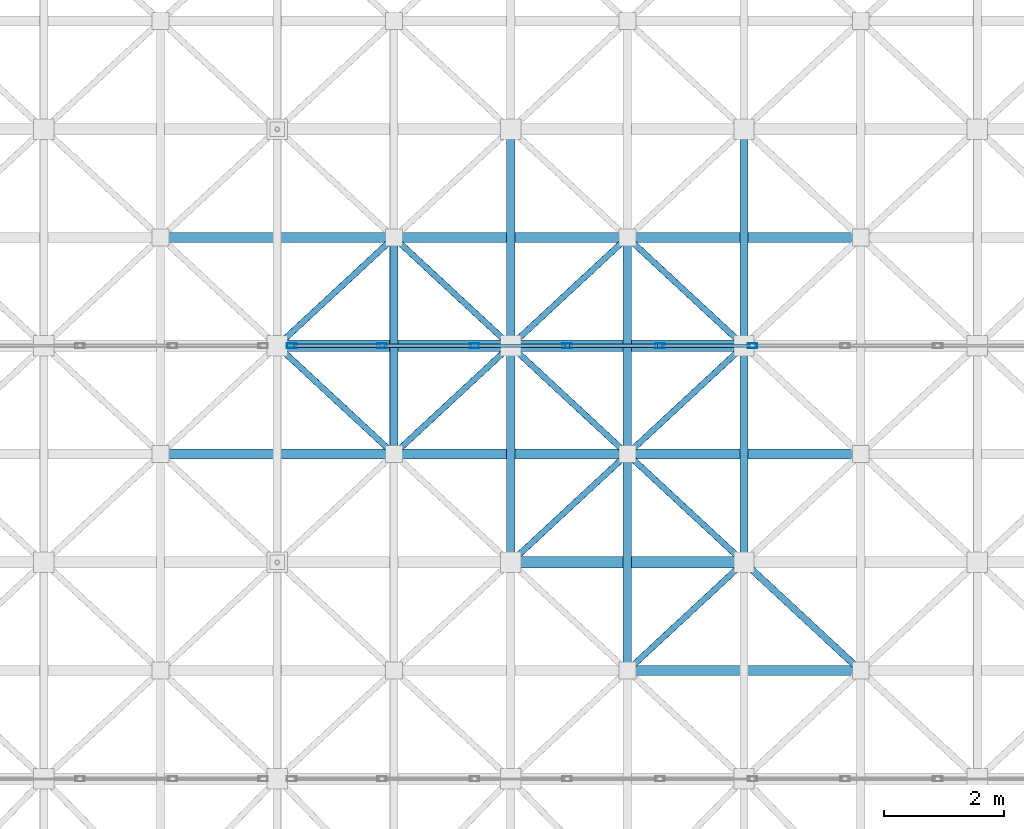
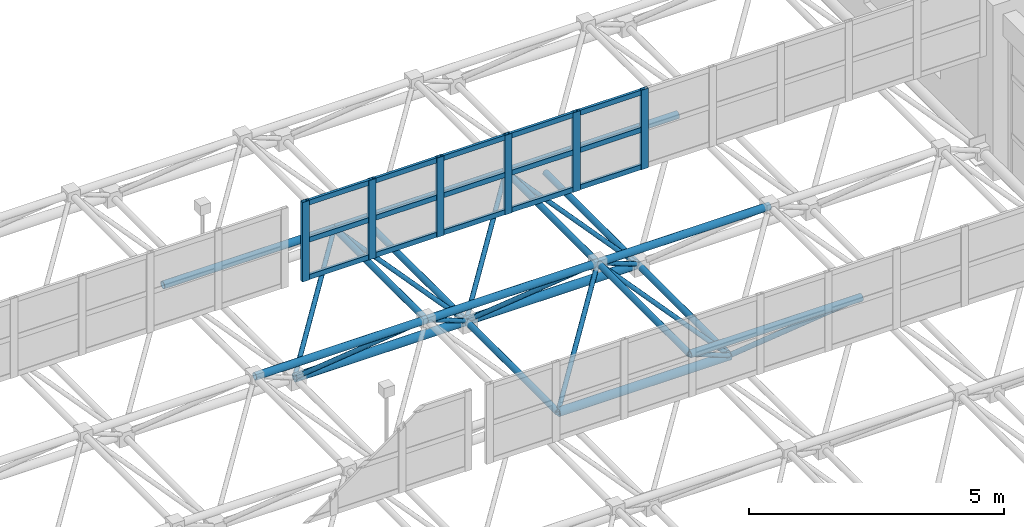
# One storey, part 96 of 195: 50 members, 1 element without a shape of its own.
"""IFC4 building model written with IfcOpenShell, lengths in metres."""

from ifc_helpers import new_model, si_unit, direction, frame, origin, origin_2d, place, context, subcontext, project, spatial, hollow_rectangle, hollow_circle, extrude, material, material_profile, profile_set, type_object, element, aggregate, save


model = new_model("IFC4")

# Units and contexts
model_context = context("Model", 3, precision=1e-05, world=origin(), true_north=direction((0.0, 1.0)))
body_context = subcontext(model_context, "Body", "Model", "MODEL_VIEW")
ifc_project = project(units=[si_unit("LENGTHUNIT", "METRE"), si_unit("AREAUNIT", "SQUARE_METRE"), si_unit("VOLUMEUNIT", "CUBIC_METRE"), si_unit("PLANEANGLEUNIT", "RADIAN"), si_unit("MASSUNIT", "GRAM", prefix="KILO")], contexts=[model_context])

# Site, building, storey
site_placement = place(None, origin())
site = spatial("IfcSite", under=ifc_project, at=site_placement, CompositionType="ELEMENT")
building_placement = place(site_placement, origin())
building = spatial("IfcBuilding", under=site, at=building_placement, Name="Kharva Crest Polytechnic", CompositionType="ELEMENT")
storey_placement = place(building_placement, frame((0.0, 0.0, 9.0)))
storey = spatial("IfcBuildingStorey", under=building, at=storey_placement, Name="L02", CompositionType="ELEMENT", Elevation=9.0)

# Curtain wall, members
ifc_material_1 = material(Name="Tempered insulated glass", Category="glass")
curtain_wall_type = type_object("IfcCurtainWallType", Name="CW-SYS-NORTHLIGHT", PredefinedType="USERDEFINED", material=ifc_material_1)
curtain_wall_placement = place(storey_placement, origin())
curtain_wall = element("IfcCurtainWall", 1, at=curtain_wall_placement, inside=storey, type_object=curtain_wall_type, Name="L02 Glazed Curtain Wall CW-200", ObjectType="CURTAIN WALL", PredefinedType="USERDEFINED")
ifc_material_2 = material(Name="Steel S355", Category="steel")
ifc_material_profile_1 = material_profile(ifc_material_2, hollow_rectangle(XDim=0.080078125, YDim=0.159912109375, WallThickness=0.0048828125, at=origin_2d()), Name="RHS 160X80X5.0")
ifc_profile_set_1 = profile_set([ifc_material_profile_1], Name="Steel S355")
member_type_1 = type_object("IfcMemberType", Name="CWM-RHS160X80", PredefinedType="MULLION", material=ifc_profile_set_1)
member_1_placement = place(storey_placement, frame((16.239990234375, 86.0, 2.85009765625), z_axis=(0.0, 0.0, 1.0), x_axis=(0.0, 1.0, 0.0)))
member_1 = element("IfcMember", 2, at=member_1_placement, type_object=member_type_1, Name="CW-200 mullion 1", PredefinedType="MULLION", context=body_context, shape_type="SweptSolid", body=[
    extrude(hollow_rectangle(XDim=0.080078125, YDim=0.159912109375, WallThickness=0.0048828125, at=origin_2d()), origin(), (0.0, 0.0, 1.0), 1.89990234375),
])
member_2_placement = place(storey_placement, frame((17.739990234375, 86.0, 2.85009765625), z_axis=(0.0, 0.0, 1.0), x_axis=(0.0, 1.0, 0.0)))
member_2 = element("IfcMember", 3, at=member_2_placement, type_object=member_type_1, Name="CW-200 mullion 2", PredefinedType="MULLION", context=body_context, shape_type="SweptSolid", body=[
    extrude(hollow_rectangle(XDim=0.080078125, YDim=0.159912109375, WallThickness=0.0048828125, at=origin_2d()), origin(), (0.0, 0.0, 1.0), 1.89990234375),
])
member_3_placement = place(storey_placement, frame((19.280029296875, 86.0, 2.85009765625), z_axis=(0.0, 0.0, 1.0), x_axis=(0.0, 1.0, 0.0)))
member_3 = element("IfcMember", 4, at=member_3_placement, type_object=member_type_1, Name="CW-200 mullion 3", PredefinedType="MULLION", context=body_context, shape_type="SweptSolid", body=[
    extrude(hollow_rectangle(XDim=0.080078125, YDim=0.159912109375, WallThickness=0.0048828125, at=origin_2d()), origin(), (0.0, 0.0, 1.0), 1.89990234375),
])
member_4_placement = place(storey_placement, frame((20.820068359375, 86.0, 2.85009765625), z_axis=(0.0, 0.0, 1.0), x_axis=(0.0, 1.0, 0.0)))
member_4 = element("IfcMember", 5, at=member_4_placement, type_object=member_type_1, Name="CW-200 mullion 4", PredefinedType="MULLION", context=body_context, shape_type="SweptSolid", body=[
    extrude(hollow_rectangle(XDim=0.080078125, YDim=0.159912109375, WallThickness=0.0048828125, at=origin_2d()), origin(), (0.0, 0.0, 1.0), 1.89990234375),
])
member_5_placement = place(storey_placement, frame((22.360107421875, 86.0, 2.85009765625), z_axis=(0.0, 0.0, 1.0), x_axis=(0.0, 1.0, 0.0)))
member_5 = element("IfcMember", 6, at=member_5_placement, type_object=member_type_1, Name="CW-200 mullion 5", PredefinedType="MULLION", context=body_context, shape_type="SweptSolid", body=[
    extrude(hollow_rectangle(XDim=0.080078125, YDim=0.159912109375, WallThickness=0.0048828125, at=origin_2d()), origin(), (0.0, 0.0, 1.0), 1.89990234375),
])
member_6_placement = place(storey_placement, frame((23.89990234375, 86.0, 2.85009765625), z_axis=(0.0, 0.0, 1.0), x_axis=(0.0, 1.0, 0.0)))
member_6 = element("IfcMember", 7, at=member_6_placement, type_object=member_type_1, Name="CW-200 mullion 6", PredefinedType="MULLION", context=body_context, shape_type="SweptSolid", body=[
    extrude(hollow_rectangle(XDim=0.080078125, YDim=0.159912109375, WallThickness=0.0048828125, at=origin_2d()), origin(), (0.0, 0.0, 1.0), 1.89990234375),
])
ifc_material_profile_2 = material_profile(ifc_material_2, hollow_rectangle(XDim=0.06005859375, YDim=0.1201171875, WallThickness=0.00390625, at=origin_2d()), Name="RHS 120X60X4.0")
ifc_profile_set_2 = profile_set([ifc_material_profile_2], Name="Steel S355")
member_type_2 = type_object("IfcMemberType", Name="CWT-RHS120X60", PredefinedType="USERDEFINED", material=ifc_profile_set_2)
member_7_placement = place(storey_placement, frame((16.280029296875, 86.0, 2.909912109375), z_axis=(1.0, 0.0, 0.0), x_axis=(0.0, 1.0, 0.0)))
member_7 = element("IfcMember", 8, at=member_7_placement, type_object=member_type_2, Name="CW-200 transom 1.1", ObjectType="TRANSOM", PredefinedType="USERDEFINED", context=body_context, shape_type="SweptSolid", body=[
    extrude(hollow_rectangle(XDim=0.06005859375, YDim=0.1201171875, WallThickness=0.00390625, at=origin_2d()), origin(), (0.0, 0.0, 1.0), 1.419921875),
])
member_8_placement = place(storey_placement, frame((16.280029296875, 86.0, 3.800048828125), z_axis=(1.0, 0.0, 0.0), x_axis=(0.0, 1.0, 0.0)))
member_8 = element("IfcMember", 9, at=member_8_placement, type_object=member_type_2, Name="CW-200 transom 1.2", ObjectType="TRANSOM", PredefinedType="USERDEFINED", context=body_context, shape_type="SweptSolid", body=[
    extrude(hollow_rectangle(XDim=0.06005859375, YDim=0.1201171875, WallThickness=0.00390625, at=origin_2d()), origin(), (0.0, 0.0, 1.0), 1.419921875),
])
member_9_placement = place(storey_placement, frame((16.280029296875, 86.0, 4.68994140625), z_axis=(1.0, 0.0, 0.0), x_axis=(0.0, 1.0, 0.0)))
member_9 = element("IfcMember", 10, at=member_9_placement, type_object=member_type_2, Name="CW-200 transom 1.3", ObjectType="TRANSOM", PredefinedType="USERDEFINED", context=body_context, shape_type="SweptSolid", body=[
    extrude(hollow_rectangle(XDim=0.06005859375, YDim=0.1201171875, WallThickness=0.00390625, at=origin_2d()), origin(), (0.0, 0.0, 1.0), 1.419921875),
])
member_10_placement = place(storey_placement, frame((17.780029296875, 86.0, 2.909912109375), z_axis=(1.0, 0.0, 0.0), x_axis=(0.0, 1.0, 0.0)))
member_10 = element("IfcMember", 11, at=member_10_placement, type_object=member_type_2, Name="CW-200 transom 2.1", ObjectType="TRANSOM", PredefinedType="USERDEFINED", context=body_context, shape_type="SweptSolid", body=[
    extrude(hollow_rectangle(XDim=0.06005859375, YDim=0.1201171875, WallThickness=0.00390625, at=origin_2d()), origin(), (0.0, 0.0, 1.0), 1.4599609375),
])
member_11_placement = place(storey_placement, frame((17.780029296875, 86.0, 3.800048828125), z_axis=(1.0, 0.0, 0.0), x_axis=(0.0, 1.0, 0.0)))
member_11 = element("IfcMember", 12, at=member_11_placement, type_object=member_type_2, Name="CW-200 transom 2.2", ObjectType="TRANSOM", PredefinedType="USERDEFINED", context=body_context, shape_type="SweptSolid", body=[
    extrude(hollow_rectangle(XDim=0.06005859375, YDim=0.1201171875, WallThickness=0.00390625, at=origin_2d()), origin(), (0.0, 0.0, 1.0), 1.4599609375),
])
member_12_placement = place(storey_placement, frame((17.780029296875, 86.0, 4.68994140625), z_axis=(1.0, 0.0, 0.0), x_axis=(0.0, 1.0, 0.0)))
member_12 = element("IfcMember", 13, at=member_12_placement, type_object=member_type_2, Name="CW-200 transom 2.3", ObjectType="TRANSOM", PredefinedType="USERDEFINED", context=body_context, shape_type="SweptSolid", body=[
    extrude(hollow_rectangle(XDim=0.06005859375, YDim=0.1201171875, WallThickness=0.00390625, at=origin_2d()), origin(), (0.0, 0.0, 1.0), 1.4599609375),
])
member_13_placement = place(storey_placement, frame((19.320068359375, 86.0, 2.909912109375), z_axis=(1.0, 0.0, 0.0), x_axis=(0.0, 1.0, 0.0)))
member_13 = element("IfcMember", 14, at=member_13_placement, type_object=member_type_2, Name="CW-200 transom 3.1", ObjectType="TRANSOM", PredefinedType="USERDEFINED", context=body_context, shape_type="SweptSolid", body=[
    extrude(hollow_rectangle(XDim=0.06005859375, YDim=0.1201171875, WallThickness=0.00390625, at=origin_2d()), origin(), (0.0, 0.0, 1.0), 1.4599609375),
])
member_14_placement = place(storey_placement, frame((19.320068359375, 86.0, 3.800048828125), z_axis=(1.0, 0.0, 0.0), x_axis=(0.0, 1.0, 0.0)))
member_14 = element("IfcMember", 15, at=member_14_placement, type_object=member_type_2, Name="CW-200 transom 3.2", ObjectType="TRANSOM", PredefinedType="USERDEFINED", context=body_context, shape_type="SweptSolid", body=[
    extrude(hollow_rectangle(XDim=0.06005859375, YDim=0.1201171875, WallThickness=0.00390625, at=origin_2d()), origin(), (0.0, 0.0, 1.0), 1.4599609375),
])
member_15_placement = place(storey_placement, frame((19.320068359375, 86.0, 4.68994140625), z_axis=(1.0, 0.0, 0.0), x_axis=(0.0, 1.0, 0.0)))
member_15 = element("IfcMember", 16, at=member_15_placement, type_object=member_type_2, Name="CW-200 transom 3.3", ObjectType="TRANSOM", PredefinedType="USERDEFINED", context=body_context, shape_type="SweptSolid", body=[
    extrude(hollow_rectangle(XDim=0.06005859375, YDim=0.1201171875, WallThickness=0.00390625, at=origin_2d()), origin(), (0.0, 0.0, 1.0), 1.4599609375),
])
member_16_placement = place(storey_placement, frame((20.860107421875, 86.0, 2.909912109375), z_axis=(1.0, 0.0, 0.0), x_axis=(0.0, 1.0, 0.0)))
member_16 = element("IfcMember", 17, at=member_16_placement, type_object=member_type_2, Name="CW-200 transom 4.1", ObjectType="TRANSOM", PredefinedType="USERDEFINED", context=body_context, shape_type="SweptSolid", body=[
    extrude(hollow_rectangle(XDim=0.06005859375, YDim=0.1201171875, WallThickness=0.00390625, at=origin_2d()), origin(), (0.0, 0.0, 1.0), 1.4599609375),
])
member_17_placement = place(storey_placement, frame((20.860107421875, 86.0, 3.800048828125), z_axis=(1.0, 0.0, 0.0), x_axis=(0.0, 1.0, 0.0)))
member_17 = element("IfcMember", 18, at=member_17_placement, type_object=member_type_2, Name="CW-200 transom 4.2", ObjectType="TRANSOM", PredefinedType="USERDEFINED", context=body_context, shape_type="SweptSolid", body=[
    extrude(hollow_rectangle(XDim=0.06005859375, YDim=0.1201171875, WallThickness=0.00390625, at=origin_2d()), origin(), (0.0, 0.0, 1.0), 1.4599609375),
])
member_18_placement = place(storey_placement, frame((20.860107421875, 86.0, 4.68994140625), z_axis=(1.0, 0.0, 0.0), x_axis=(0.0, 1.0, 0.0)))
member_18 = element("IfcMember", 19, at=member_18_placement, type_object=member_type_2, Name="CW-200 transom 4.3", ObjectType="TRANSOM", PredefinedType="USERDEFINED", context=body_context, shape_type="SweptSolid", body=[
    extrude(hollow_rectangle(XDim=0.06005859375, YDim=0.1201171875, WallThickness=0.00390625, at=origin_2d()), origin(), (0.0, 0.0, 1.0), 1.4599609375),
])
member_19_placement = place(storey_placement, frame((22.39990234375, 86.0, 2.909912109375), z_axis=(1.0, 0.0, 0.0), x_axis=(0.0, 1.0, 0.0)))
member_19 = element("IfcMember", 20, at=member_19_placement, type_object=member_type_2, Name="CW-200 transom 5.1", ObjectType="TRANSOM", PredefinedType="USERDEFINED", context=body_context, shape_type="SweptSolid", body=[
    extrude(hollow_rectangle(XDim=0.06005859375, YDim=0.1201171875, WallThickness=0.00390625, at=origin_2d()), origin(), (0.0, 0.0, 1.0), 1.460205078125),
])
member_20_placement = place(storey_placement, frame((22.39990234375, 86.0, 3.800048828125), z_axis=(1.0, 0.0, 0.0), x_axis=(0.0, 1.0, 0.0)))
member_20 = element("IfcMember", 21, at=member_20_placement, type_object=member_type_2, Name="CW-200 transom 5.2", ObjectType="TRANSOM", PredefinedType="USERDEFINED", context=body_context, shape_type="SweptSolid", body=[
    extrude(hollow_rectangle(XDim=0.06005859375, YDim=0.1201171875, WallThickness=0.00390625, at=origin_2d()), origin(), (0.0, 0.0, 1.0), 1.460205078125),
])
member_21_placement = place(storey_placement, frame((22.39990234375, 86.0, 4.68994140625), z_axis=(1.0, 0.0, 0.0), x_axis=(0.0, 1.0, 0.0)))
member_21 = element("IfcMember", 22, at=member_21_placement, type_object=member_type_2, Name="CW-200 transom 5.3", ObjectType="TRANSOM", PredefinedType="USERDEFINED", context=body_context, shape_type="SweptSolid", body=[
    extrude(hollow_rectangle(XDim=0.06005859375, YDim=0.1201171875, WallThickness=0.00390625, at=origin_2d()), origin(), (0.0, 0.0, 1.0), 1.460205078125),
])
aggregate(curtain_wall, [member_1, member_2, member_3, member_4, member_5, member_6, member_7, member_8, member_9, member_10, member_11, member_12, member_13, member_14, member_15, member_16, member_17, member_18, member_19, member_20, member_21])

# Members
ifc_material_profile_3 = material_profile(ifc_material_2, hollow_circle(Radius=0.05078125, WallThickness=0.0048828125, at=origin_2d()), Name="CHS 101.6X5.0")
ifc_profile_set_3 = profile_set([ifc_material_profile_3], Name="Steel S355")
member_type_3 = type_object("IfcMemberType", Name="MEM-CHS101", PredefinedType="BRACE", material=ifc_profile_set_3)
for number, where, z_axis, x_axis, name in (
    (23, (16.0, 86.0, 0.60009765625), (0.606147481159, -0.562437122903, 0.562360839555), (0.680182129432, 0.73304315753, 0.0), "Space Frame Web Diagonal 719"),
    (24, (19.8798828125, 86.0, 0.60009765625), (-0.606147481159, -0.562437122903, 0.562360839555), (0.680182129432, -0.73304315753, 0.0), "Space Frame Web Diagonal 720"),
    (25, (16.0, 86.0, 0.60009765625), (0.606147481159, 0.562437122903, 0.562360839555), (-0.680182129432, 0.73304315753, 0.0), "Space Frame Web Diagonal 721"),
    (26, (19.8798828125, 86.0, 0.60009765625), (-0.606147481159, 0.562437122903, 0.562360839555), (-0.680182129432, -0.73304315753, 0.0), "Space Frame Web Diagonal 722"),
):
    element("IfcMember", number, at=place(storey_placement, frame(where, z_axis=z_axis, x_axis=x_axis)), inside=storey, type_object=member_type_3, Name=name, PredefinedType="BRACE", context=body_context, shape_type="SweptSolid", body=[
        extrude(hollow_circle(Radius=0.05078125, WallThickness=0.0048828125, at=origin_2d()), origin(), (0.0, 0.0, 1.0), 3.200439453125),
    ])
member_22_placement = place(storey_placement, frame((23.760009765625, 82.39990234375, 0.60009765625), z_axis=(-0.606173487576, -0.562384967331, 0.562384967331), x_axis=(0.680132552351, -0.7330891564, 0.0)))
element("IfcMember", 27, at=member_22_placement, inside=storey, type_object=member_type_3, Name="Space Frame Web Diagonal 772", PredefinedType="BRACE", context=body_context, shape_type="SweptSolid", body=[
    extrude(hollow_circle(Radius=0.05078125, WallThickness=0.0048828125, at=origin_2d()), origin(), (0.0, 0.0, 1.0), 3.2001953125),
])
member_23_placement = place(storey_placement, frame((19.8798828125, 82.39990234375, 0.60009765625), z_axis=(0.606195733531, 0.562411116563, 0.562334836743), x_axis=(-0.680136133543, 0.733085833889, 0.0)))
element("IfcMember", 28, at=member_23_placement, inside=storey, type_object=member_type_3, Name="Space Frame Web Diagonal 773", PredefinedType="BRACE", context=body_context, shape_type="SweptSolid", body=[
    extrude(hollow_circle(Radius=0.05078125, WallThickness=0.0048828125, at=origin_2d()), origin(), (0.0, 0.0, 1.0), 3.20068359375),
])
member_24_placement = place(storey_placement, frame((23.760009765625, 82.39990234375, 0.60009765625), z_axis=(-0.606147481159, 0.562437122903, 0.562360839555), x_axis=(-0.680182129432, -0.73304315753, 0.0)))
element("IfcMember", 29, at=member_24_placement, inside=storey, type_object=member_type_3, Name="Space Frame Web Diagonal 774", PredefinedType="BRACE", context=body_context, shape_type="SweptSolid", body=[
    extrude(hollow_circle(Radius=0.05078125, WallThickness=0.0048828125, at=origin_2d()), origin(), (0.0, 0.0, 1.0), 3.200439453125),
])
member_25_placement = place(storey_placement, frame((19.8798828125, 86.0, 0.60009765625), z_axis=(0.606195733531, -0.562411116563, 0.562334836743), x_axis=(0.680136133543, 0.733085833889, 0.0)))
element("IfcMember", 30, at=member_25_placement, inside=storey, type_object=member_type_3, Name="Space Frame Web Diagonal 775", PredefinedType="BRACE", context=body_context, shape_type="SweptSolid", body=[
    extrude(hollow_circle(Radius=0.05078125, WallThickness=0.0048828125, at=origin_2d()), origin(), (0.0, 0.0, 1.0), 3.20068359375),
])
member_26_placement = place(storey_placement, frame((23.760009765625, 86.0, 0.60009765625), z_axis=(-0.606147481159, -0.562437122903, 0.562360839555), x_axis=(0.680182129432, -0.73304315753, 0.0)))
element("IfcMember", 31, at=member_26_placement, inside=storey, type_object=member_type_3, Name="Space Frame Web Diagonal 776", PredefinedType="BRACE", context=body_context, shape_type="SweptSolid", body=[
    extrude(hollow_circle(Radius=0.05078125, WallThickness=0.0048828125, at=origin_2d()), origin(), (0.0, 0.0, 1.0), 3.200439453125),
])
member_27_placement = place(storey_placement, frame((19.8798828125, 86.0, 0.60009765625), z_axis=(0.606195733531, 0.562411116563, 0.562334836743), x_axis=(-0.680136133543, 0.733085833889, 0.0)))
element("IfcMember", 32, at=member_27_placement, inside=storey, type_object=member_type_3, Name="Space Frame Web Diagonal 777", PredefinedType="BRACE", context=body_context, shape_type="SweptSolid", body=[
    extrude(hollow_circle(Radius=0.05078125, WallThickness=0.0048828125, at=origin_2d()), origin(), (0.0, 0.0, 1.0), 3.20068359375),
])
member_28_placement = place(storey_placement, frame((23.760009765625, 86.0, 0.60009765625), z_axis=(-0.606147481159, 0.562437122903, 0.562360839555), x_axis=(-0.680182129432, -0.73304315753, 0.0)))
element("IfcMember", 33, at=member_28_placement, inside=storey, type_object=member_type_3, Name="Space Frame Web Diagonal 778", PredefinedType="BRACE", context=body_context, shape_type="SweptSolid", body=[
    extrude(hollow_circle(Radius=0.05078125, WallThickness=0.0048828125, at=origin_2d()), origin(), (0.0, 0.0, 1.0), 3.200439453125),
])
ifc_material_profile_4 = material_profile(ifc_material_2, hollow_circle(Radius=0.05712890625, WallThickness=0.00634765625, at=origin_2d()), Name="CHS 114.3X6.3")
ifc_profile_set_4 = profile_set([ifc_material_profile_4], Name="Steel S355")
member_type_4 = type_object("IfcMemberType", Name="MEM-CHS114", PredefinedType="BRACE", material=ifc_profile_set_4)
member_29_placement = place(storey_placement, frame((23.760009765625, 82.39990234375, 0.60009765625), z_axis=(0.606173487576, -0.562384967331, 0.562384967331), x_axis=(0.680132552351, 0.7330891564, 0.0)))
element("IfcMember", 34, at=member_29_placement, inside=storey, type_object=member_type_4, Name="Space Frame Web Diagonal 827", PredefinedType="BRACE", context=body_context, shape_type="SweptSolid", body=[
    extrude(hollow_circle(Radius=0.05712890625, WallThickness=0.00634765625, at=origin_2d()), origin(), (0.0, 0.0, 1.0), 3.2001953125),
])
ifc_material_profile_5 = material_profile(ifc_material_2, hollow_circle(Radius=0.06982421875, WallThickness=0.00634765625, at=origin_2d()), Name="CHS 139.7X6.3")
ifc_profile_set_5 = profile_set([ifc_material_profile_5], Name="Steel S355")
member_type_5 = type_object("IfcMemberType", Name="MEM-CHS139", PredefinedType="CHORD", material=ifc_profile_set_5)
for number, where, z_axis, x_axis, name in (
    (35, (19.8798828125, 82.39990234375, 0.60009765625), (0.0, 1.0, 0.0), (-1.0, 0.0, 0.0), "Space Frame Bottom Chord Y 202"),
    (36, (19.8798828125, 86.0, 0.60009765625), (0.0, 1.0, 0.0), (-1.0, 0.0, 0.0), "Space Frame Bottom Chord Y 203"),
    (37, (23.760009765625, 82.39990234375, 0.60009765625), (0.0, 1.0, 0.0), (-1.0, 0.0, 0.0), "Space Frame Bottom Chord Y 216"),
    (38, (23.760009765625, 86.0, 0.60009765625), (0.0, 1.0, 0.0), (-1.0, 0.0, 0.0), "Space Frame Bottom Chord Y 217"),
    (39, (17.93994140625, 84.199951171875, 2.39990234375), (0.0, 1.0, 0.0), (-1.0, 0.0, 0.0), "Space Frame Top Chord Y 408"),
):
    element("IfcMember", number, at=place(storey_placement, frame(where, z_axis=z_axis, x_axis=x_axis)), inside=storey, type_object=member_type_5, Name=name, PredefinedType="CHORD", context=body_context, shape_type="SweptSolid", body=[
        extrude(hollow_circle(Radius=0.06982421875, WallThickness=0.00634765625, at=origin_2d()), origin(), (0.0, 0.0, 1.0), 3.60009765625),
    ])
member_30_placement = place(storey_placement, frame((21.820068359375, 80.60009765625, 2.39990234375), z_axis=(0.0, 1.0, 0.0), x_axis=(-1.0, 0.0, 0.0)))
element("IfcMember", 40, at=member_30_placement, inside=storey, type_object=member_type_5, Name="Space Frame Top Chord Y 420", PredefinedType="CHORD", context=body_context, shape_type="SweptSolid", body=[
    extrude(hollow_circle(Radius=0.06982421875, WallThickness=0.00634765625, at=origin_2d()), origin(), (0.0, 0.0, 1.0), 3.599853515625),
])
member_31_placement = place(storey_placement, frame((21.820068359375, 84.199951171875, 2.39990234375), z_axis=(0.0, 1.0, 0.0), x_axis=(-1.0, 0.0, 0.0)))
element("IfcMember", 41, at=member_31_placement, inside=storey, type_object=member_type_5, Name="Space Frame Top Chord Y 421", PredefinedType="CHORD", context=body_context, shape_type="SweptSolid", body=[
    extrude(hollow_circle(Radius=0.06982421875, WallThickness=0.00634765625, at=origin_2d()), origin(), (0.0, 0.0, 1.0), 3.60009765625),
])
ifc_material_profile_6 = material_profile(ifc_material_2, hollow_circle(Radius=0.084228515625, WallThickness=0.008056640625, at=origin_2d()), Name="CHS 168.3X8.0")
ifc_profile_set_6 = profile_set([ifc_material_profile_6], Name="Steel S355")
member_type_6 = type_object("IfcMemberType", Name="MEM-CHS168", PredefinedType="CHORD", material=ifc_profile_set_6)
for number, where, z_axis, x_axis, name in (
    (42, (21.820068359375, 80.60009765625, 2.39990234375), (1.0, 0.0, 0.0), (0.0, 1.0, 0.0), "Space Frame Top Chord X 322"),
    (43, (14.06005859375, 84.199951171875, 2.39990234375), (1.0, 0.0, 0.0), (0.0, 1.0, 0.0), "Space Frame Top Chord X 327"),
):
    element("IfcMember", number, at=place(storey_placement, frame(where, z_axis=z_axis, x_axis=x_axis)), inside=storey, type_object=member_type_6, Name=name, PredefinedType="CHORD", context=body_context, shape_type="SweptSolid", body=[
        extrude(hollow_circle(Radius=0.084228515625, WallThickness=0.008056640625, at=origin_2d()), origin(), (0.0, 0.0, 1.0), 3.8798828125),
    ])
member_32_placement = place(storey_placement, frame((17.93994140625, 84.199951171875, 2.39990234375), z_axis=(1.0, 0.0, 0.0), x_axis=(0.0, 1.0, 0.0)))
element("IfcMember", 44, at=member_32_placement, inside=storey, type_object=member_type_6, Name="Space Frame Top Chord X 328", PredefinedType="CHORD", context=body_context, shape_type="SweptSolid", body=[
    extrude(hollow_circle(Radius=0.084228515625, WallThickness=0.008056640625, at=origin_2d()), origin(), (0.0, 0.0, 1.0), 3.880126953125),
])
for number, where, z_axis, x_axis, name in (
    (45, (21.820068359375, 84.199951171875, 2.39990234375), (1.0, 0.0, 0.0), (0.0, 1.0, 0.0), "Space Frame Top Chord X 329"),
    (46, (14.06005859375, 87.800048828125, 2.39990234375), (1.0, 0.0, 0.0), (0.0, 1.0, 0.0), "Space Frame Top Chord X 334"),
):
    element("IfcMember", number, at=place(storey_placement, frame(where, z_axis=z_axis, x_axis=x_axis)), inside=storey, type_object=member_type_6, Name=name, PredefinedType="CHORD", context=body_context, shape_type="SweptSolid", body=[
        extrude(hollow_circle(Radius=0.084228515625, WallThickness=0.008056640625, at=origin_2d()), origin(), (0.0, 0.0, 1.0), 3.8798828125),
    ])
member_33_placement = place(storey_placement, frame((17.93994140625, 87.800048828125, 2.39990234375), z_axis=(1.0, 0.0, 0.0), x_axis=(0.0, 1.0, 0.0)))
element("IfcMember", 47, at=member_33_placement, inside=storey, type_object=member_type_6, Name="Space Frame Top Chord X 335", PredefinedType="CHORD", context=body_context, shape_type="SweptSolid", body=[
    extrude(hollow_circle(Radius=0.084228515625, WallThickness=0.008056640625, at=origin_2d()), origin(), (0.0, 0.0, 1.0), 3.880126953125),
])
member_34_placement = place(storey_placement, frame((21.820068359375, 87.800048828125, 2.39990234375), z_axis=(1.0, 0.0, 0.0), x_axis=(0.0, 1.0, 0.0)))
element("IfcMember", 48, at=member_34_placement, inside=storey, type_object=member_type_6, Name="Space Frame Top Chord X 336", PredefinedType="CHORD", context=body_context, shape_type="SweptSolid", body=[
    extrude(hollow_circle(Radius=0.084228515625, WallThickness=0.008056640625, at=origin_2d()), origin(), (0.0, 0.0, 1.0), 3.8798828125),
])
ifc_material_profile_7 = material_profile(ifc_material_2, hollow_circle(Radius=0.096923828125, WallThickness=0.008056640625, at=origin_2d()), Name="CHS 193.7X8.0")
ifc_profile_set_7 = profile_set([ifc_material_profile_7], Name="Steel S355")
member_type_7 = type_object("IfcMemberType", Name="MEM-CHS193", PredefinedType="CHORD", material=ifc_profile_set_7)
member_35_placement = place(storey_placement, frame((19.8798828125, 82.39990234375, 0.60009765625), z_axis=(1.0, 0.0, 0.0), x_axis=(0.0, 1.0, 0.0)))
element("IfcMember", 49, at=member_35_placement, inside=storey, type_object=member_type_7, Name="Space Frame Bottom Chord X 94", PredefinedType="CHORD", context=body_context, shape_type="SweptSolid", body=[
    extrude(hollow_circle(Radius=0.096923828125, WallThickness=0.008056640625, at=origin_2d()), origin(), (0.0, 0.0, 1.0), 3.880126953125),
])
member_36_placement = place(storey_placement, frame((16.0, 86.0, 0.60009765625), z_axis=(1.0, 0.0, 0.0), x_axis=(0.0, 1.0, 0.0)))
element("IfcMember", 50, at=member_36_placement, inside=storey, type_object=member_type_7, Name="Space Frame Bottom Chord X 101", PredefinedType="CHORD", context=body_context, shape_type="SweptSolid", body=[
    extrude(hollow_circle(Radius=0.096923828125, WallThickness=0.008056640625, at=origin_2d()), origin(), (0.0, 0.0, 1.0), 3.8798828125),
])
member_37_placement = place(storey_placement, frame((19.8798828125, 86.0, 0.60009765625), z_axis=(1.0, 0.0, 0.0), x_axis=(0.0, 1.0, 0.0)))
element("IfcMember", 51, at=member_37_placement, inside=storey, type_object=member_type_7, Name="Space Frame Bottom Chord X 102", PredefinedType="CHORD", context=body_context, shape_type="SweptSolid", body=[
    extrude(hollow_circle(Radius=0.096923828125, WallThickness=0.008056640625, at=origin_2d()), origin(), (0.0, 0.0, 1.0), 3.880126953125),
])

save(model, "model.ifc")
